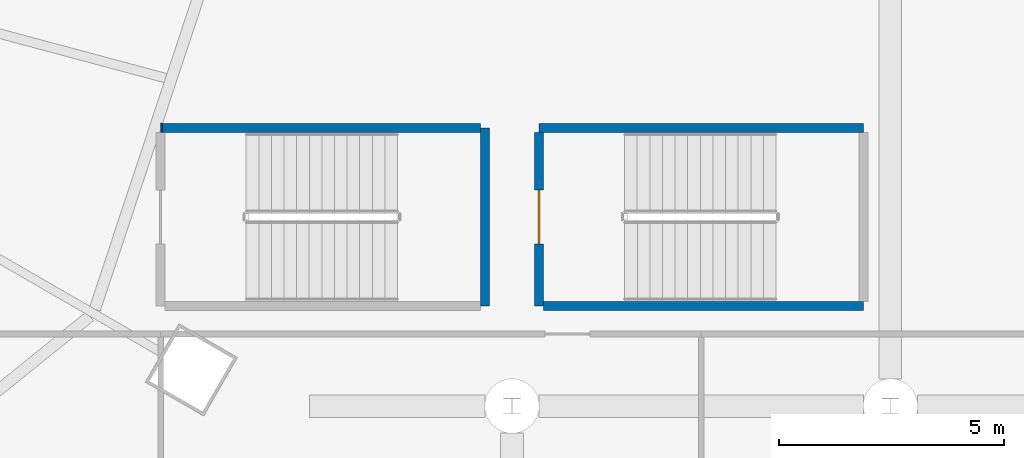
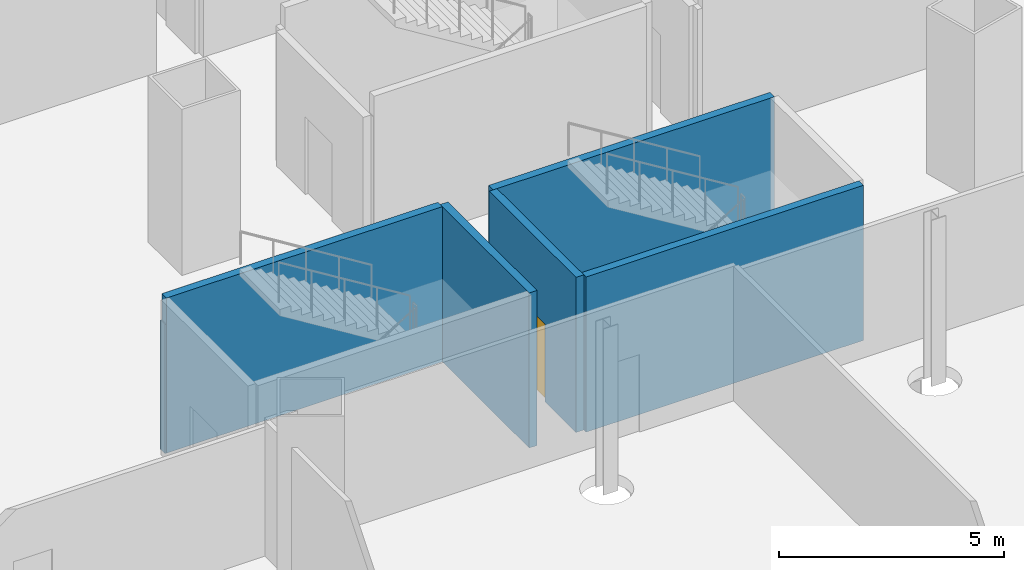
# One storey, part 37 of 56: 6 walls, 1 door, 1 opening.
"""IFC4 building model written with IfcOpenShell, lengths in metres."""

from ifc_helpers import new_model, si_unit, direction, frame, frame_2d, origin, place, context, subcontext, project, spatial, rectangle, extrude, material, layer, layer_set, type_object, element, fill, save


model = new_model("IFC4")

# Units and contexts
model_context = context("Model", 3, precision=1e-05, world=origin(), true_north=direction((0.0, 1.0)))
body_context = subcontext(model_context, "Body", "Model", "MODEL_VIEW")
ifc_project = project(units=[si_unit("LENGTHUNIT", "METRE"), si_unit("AREAUNIT", "SQUARE_METRE"), si_unit("VOLUMEUNIT", "CUBIC_METRE"), si_unit("PLANEANGLEUNIT", "RADIAN"), si_unit("MASSUNIT", "GRAM", prefix="KILO")], contexts=[model_context])

# Site, building, storey
site_placement = place(None, origin())
site = spatial("IfcSite", under=ifc_project, at=site_placement, CompositionType="ELEMENT")
building_placement = place(site_placement, origin())
building = spatial("IfcBuilding", under=site, at=building_placement, Name="Rimbun Link Towers", CompositionType="ELEMENT")
storey_placement = place(building_placement, frame((0.0, 0.0, 16.5)))
storey = spatial("IfcBuildingStorey", under=building, at=storey_placement, Name="L03", CompositionType="ELEMENT", Elevation=16.5)

# Walls
ifc_material_1 = material(Name="Concrete C40/50", Category="concrete")
ifc_layer = layer(ifc_material_1, 0.199951171875)
ifc_layer_set = layer_set([ifc_layer], Name="Stair shaft wall 200")
wall_type = type_object("IfcWallType", Name="Stair shaft wall 200", PredefinedType="SOLIDWALL", material=ifc_layer_set)
wall_1_placement = place(storey_placement, frame((-4.800048828125, -10.375, 0.0), z_axis=(0.0, 0.0, 1.0), x_axis=(0.0, 1.0, 0.0)))
element("IfcWall", 1, at=wall_1_placement, inside=storey, type_object=wall_type, Name="PD/PW/L03/001", PredefinedType="SOLIDWALL", context=body_context, shape_type="SweptSolid", body=[
    extrude(rectangle(XDim=3.949951171875, YDim=0.199951171875, at=frame_2d((1.97509765625, 0.0))), origin(), (0.0, 0.0, 1.0), 4.199951171875),
])
wall_2_placement = place(storey_placement, frame((-4.89990234375, -6.425048828125, 0.0), z_axis=(0.0, 0.0, 1.0), x_axis=(-1.0, 0.0, 0.0)))
element("IfcWall", 2, at=wall_2_placement, inside=storey, type_object=wall_type, Name="PD/PW/L03/002", PredefinedType="SOLIDWALL", context=body_context, shape_type="SweptSolid", body=[
    extrude(rectangle(XDim=7.068359375, YDim=0.199951171875, at=frame_2d((3.5341796875, 0.0))), origin(), (0.0, 0.0, 1.0), 4.199951171875),
])
wall_3_placement = place(storey_placement, frame((-11.96826171875, -6.425048828125, 0.0), z_axis=(0.0, 0.0, 1.0), x_axis=(-1.0, 0.0, 0.0)))
element("IfcWall", 3, at=wall_3_placement, inside=storey, type_object=wall_type, Name="PD/PW/L03/002b", PredefinedType="SOLIDWALL", context=body_context, shape_type="SweptSolid", body=[
    extrude(rectangle(XDim=0.03173828125, YDim=0.199951171875, at=frame_2d((0.015869140625, 0.0))), origin(), (0.0, 0.0, 1.0), 3.49609375),
])
wall_4_placement = place(storey_placement, frame((3.60009765625, -6.425048828125, 0.0), z_axis=(0.0, 0.0, 1.0), x_axis=(-1.0, 0.0, 0.0)))
element("IfcWall", 4, at=wall_4_placement, inside=storey, type_object=wall_type, Name="PD/PW/L03/005", PredefinedType="SOLIDWALL", context=body_context, shape_type="SweptSolid", body=[
    extrude(rectangle(XDim=7.2001953125, YDim=0.199951171875, at=frame_2d((3.60009765625, 0.0))), origin(), (0.0, 0.0, 1.0), 4.199951171875),
])

# Wall, opening, door
wall_5_placement = place(storey_placement, frame((-3.60009765625, -6.52490234375, 0.0), z_axis=(0.0, 0.0, 1.0), x_axis=(0.0, -1.0, 0.0)))
wall_5 = element("IfcWall", 5, at=wall_5_placement, inside=storey, type_object=wall_type, Name="PD/PW/L03/006", PredefinedType="SOLIDWALL", context=body_context, shape_type="SweptSolid", body=[
    extrude(rectangle(XDim=3.85009765625, YDim=0.199951171875, at=frame_2d((1.925048828125, 0.0))), origin(), (0.0, 0.0, 1.0), 4.199951171875),
])
opening_placement = place(wall_5_placement, frame((1.27490234375, 0.0, 0.0)))
opening = element("IfcOpeningElement", 6, at=opening_placement, cuts=wall_5, Name="Opening PD DS2", PredefinedType="OPENING", context=body_context, shape_type="SweptSolid", body=[
    extrude(rectangle(XDim=1.199951171875, YDim=2.10009765625, at=frame_2d((0.60009765625, 1.050048828125))), frame((0.0, 0.10986328125, 0.0), z_axis=(0.0, -1.0, 0.0), x_axis=(1.0, 0.0, 0.0)), (0.0, 0.0, 1.0), 0.219970703125),
])
ifc_material_2 = material(Name="Steel fire door set", Category="steel")
door_type = type_object("IfcDoorType", Name="Stair door", OperationType="SINGLE_SWING_LEFT", PredefinedType="DOOR", material=ifc_material_2)
door_placement = place(opening_placement, frame((1.199951171875, 0.0, 0.0), z_axis=(0.0, 0.0, 1.0), x_axis=(-1.0, 0.0, 0.0)))
door = element("IfcDoor", 7, at=door_placement, inside=storey, type_object=door_type, Name="PD/DR/L03/S2", OperationType="SINGLE_SWING_LEFT", OverallHeight=2.10009765625, OverallWidth=1.199951171875, PredefinedType="DOOR", context=body_context, shape_type="SweptSolid", body=[
    extrude(rectangle(XDim=1.199951171875, YDim=2.10009765625, at=frame_2d((0.60009765625, 1.050048828125))), frame((0.0, 0.02490234375, 0.0), z_axis=(0.0, -1.0, 0.0), x_axis=(1.0, 0.0, 0.0)), (0.0, 0.0, 1.0), 0.050048828125),
])
fill(opening, door)

# Wall
wall_6_placement = place(storey_placement, frame((-3.5, -10.375, 0.0), z_axis=(0.0, 0.0, 1.0), x_axis=(1.0, 0.0, 0.0)))
element("IfcWall", 8, at=wall_6_placement, inside=storey, type_object=wall_type, Name="PD/PW/L03/007", PredefinedType="SOLIDWALL", context=body_context, shape_type="SweptSolid", body=[
    extrude(rectangle(XDim=7.10009765625, YDim=0.199951171875, at=frame_2d((3.550048828125, 0.0))), origin(), (0.0, 0.0, 1.0), 4.199951171875),
])

save(model, "model.ifc")
